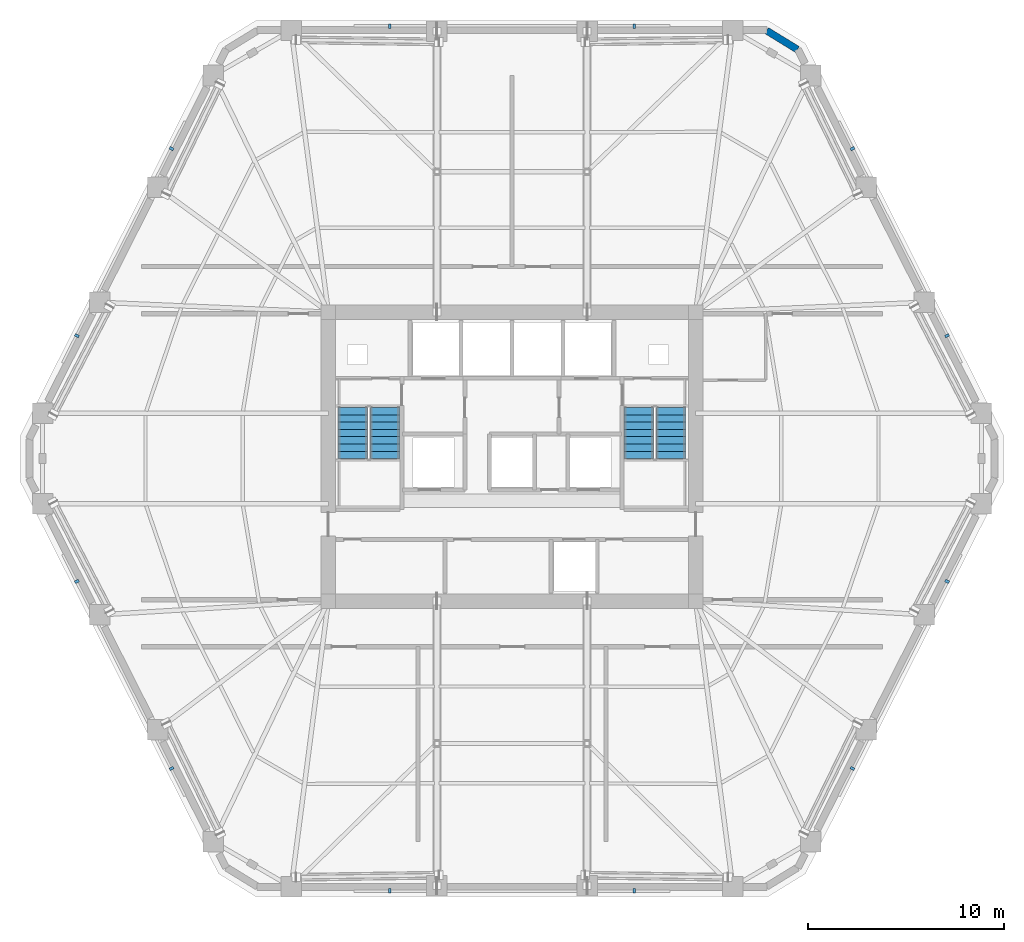
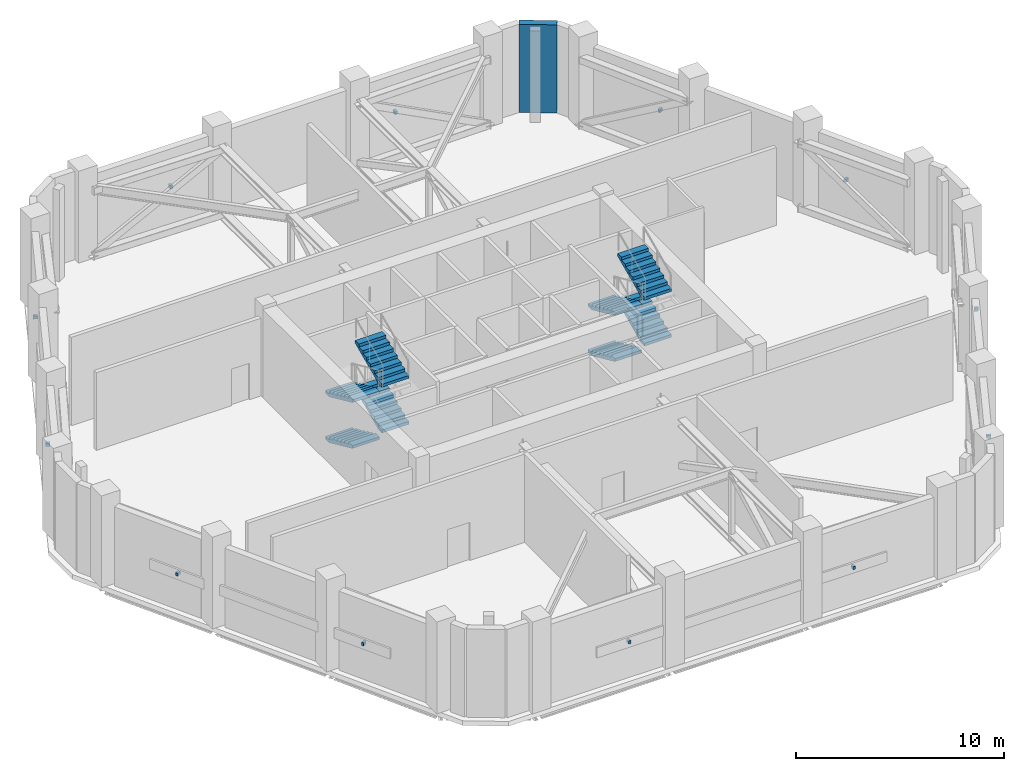
# One storey, part 12 of 15: 12 discrete accessories, 8 stair flights, 1 wall, 2 elements without a shape of their own.
"""IFC4 building model written with IfcOpenShell, lengths in metres."""

from ifc_helpers import new_model, si_unit, direction, frame, frame_2d, origin, origin_2d, place, context, subcontext, project, spatial, polyline, rectangle, outline, extrude, material, layer, layer_set, type_object, element, aggregate, save


model = new_model("IFC4")

# Units and contexts
model_context = context("Model", 3, precision=1e-05, world=origin(), true_north=direction((0.0, 1.0)))
body_context = subcontext(model_context, "Body", "Model", "MODEL_VIEW")
ifc_project = project(units=[si_unit("LENGTHUNIT", "METRE"), si_unit("AREAUNIT", "SQUARE_METRE"), si_unit("VOLUMEUNIT", "CUBIC_METRE"), si_unit("PLANEANGLEUNIT", "RADIAN"), si_unit("MASSUNIT", "GRAM", prefix="KILO")], contexts=[model_context])

# Site, building, storey
site_placement = place(None, origin())
site = spatial("IfcSite", under=ifc_project, at=site_placement, CompositionType="ELEMENT")
building_placement = place(site_placement, origin())
building = spatial("IfcBuilding", under=site, at=building_placement, Name="Cinnabar Lancet Tower", CompositionType="ELEMENT")
storey_placement = place(building_placement, frame((0.0, 0.0, 148.10009765625)))
storey = spatial("IfcBuildingStorey", under=building, at=storey_placement, Name="L39", CompositionType="ELEMENT", Elevation=148.10009765625)

# Wall
ifc_material_1 = material(Name="Dark charcoal engineering brick", Category="masonry")
ifc_layer = layer(ifc_material_1, 0.360107421875)
ifc_layer_set = layer_set([ifc_layer], Name="Dark charcoal engineering brick")
wall_type = type_object("IfcWallType", Name="ENV-WL-BRK-CHR-360", PredefinedType="STANDARD", material=ifc_layer_set)
wall_placement = place(storey_placement, frame((46.968994140625, 46.678955078125, 0.0), z_axis=(0.0, 0.0, 1.0), x_axis=(-0.852162932717, 0.523276538843, 0.0)))
element("IfcWall", 1, at=wall_placement, inside=storey, type_object=wall_type, Name="L39 Chamfered Corner Brick Pier 4.1", PredefinedType="STANDARD", context=body_context, shape_type="SweptSolid", body=[
    extrude(rectangle(XDim=1.842529296875, YDim=0.360107421875, at=frame_2d((0.92138671875, 0.0))), origin(), (0.0, 0.0, 1.0), 5.18994140625),
])

# Stair, stair flights
ifc_material_2 = material(Name="Concrete C40/50", Category="concrete")
stair_type = type_object("IfcStairType", Name="ST-CORE", PredefinedType="HALF_TURN_STAIR", material=ifc_material_2)
stair_1_placement = place(storey_placement, origin())
stair_1 = element("IfcStair", 2, at=stair_1_placement, inside=storey, type_object=stair_type, Name="L39 ST-1", PredefinedType="HALF_TURN_STAIR")
ifc_material_3 = material(Name="Concrete C40/50", Category="concrete")
stair_flight_type = type_object("IfcStairFlightType", Name="FLIGHT-CORE", PredefinedType="STRAIGHT", material=ifc_material_3)
stair_flight_1_placement = place(storey_placement, frame((24.27490234375, 28.39990234375, 0.0), z_axis=(0.0, 0.0, 1.0), x_axis=(0.0, -1.0, 0.0)))
stair_flight_1 = element("IfcStairFlight", 3, at=stair_flight_1_placement, type_object=stair_flight_type, Name="ST-1 flight 1", NumberOfRisers=8, NumberOfTreads=7, PredefinedType="STRAIGHT", RiserHeight=0.16875, TreadLength=0.3714, context=body_context, shape_type="SweptSolid", body=[
    extrude(outline(polyline([(0.0, 0.0), (0.0, 0.168701171875), (0.371337890625, 0.168701171875), (0.371337890625, 0.33740234375), (0.742919921875, 0.33740234375), (0.742919921875, 0.50634765625), (1.1142578125, 0.50634765625), (1.1142578125, 0.675048828125), (1.485595703125, 0.675048828125), (1.485595703125, 0.84375), (1.85693359375, 0.84375), (1.85693359375, 1.012451171875), (2.228515625, 1.012451171875), (2.228515625, 1.18115234375), (2.599853515625, 1.18115234375), (2.599853515625, 1.35009765625), (2.599853515625, 1.0166015625), (0.3623046875, 0.0), (0.0, 0.0)])), frame((0.0, 0.75, 0.0), z_axis=(0.0, -1.0, 0.0), x_axis=(1.0, 0.0, 0.0)), (0.0, 0.0, 1.0), 1.5),
])
stair_flight_2_placement = place(storey_placement, frame((25.925048828125, 25.80029296875, 1.349853515625), z_axis=(0.0, 0.0, 1.0), x_axis=(0.0, 1.0, 0.0)))
stair_flight_2 = element("IfcStairFlight", 4, at=stair_flight_2_placement, type_object=stair_flight_type, Name="ST-1 flight 2", NumberOfRisers=8, NumberOfTreads=7, PredefinedType="STRAIGHT", RiserHeight=0.16875, TreadLength=0.3714, context=body_context, shape_type="SweptSolid", body=[
    extrude(outline(polyline([(0.0, 0.0), (0.0, 0.168701171875), (0.371337890625, 0.168701171875), (0.371337890625, 0.33740234375), (0.742919921875, 0.33740234375), (0.742919921875, 0.50634765625), (1.1142578125, 0.50634765625), (1.1142578125, 0.675048828125), (1.485595703125, 0.675048828125), (1.485595703125, 0.84375), (1.85693359375, 0.84375), (1.85693359375, 1.012451171875), (2.228515625, 1.012451171875), (2.228515625, 1.18115234375), (2.599853515625, 1.18115234375), (2.599853515625, 1.35009765625), (2.599853515625, 1.0166015625), (0.3623046875, 0.0), (0.0, 0.0)])), frame((0.0, 0.75, 0.0), z_axis=(0.0, -1.0, 0.0), x_axis=(1.0, 0.0, 0.0)), (0.0, 0.0, 1.0), 1.5),
])
stair_flight_3_placement = place(storey_placement, frame((24.27490234375, 28.39990234375, 2.699951171875), z_axis=(0.0, 0.0, 1.0), x_axis=(0.0, -1.0, 0.0)))
stair_flight_3 = element("IfcStairFlight", 5, at=stair_flight_3_placement, type_object=stair_flight_type, Name="ST-1 flight 3", NumberOfRisers=8, NumberOfTreads=7, PredefinedType="STRAIGHT", RiserHeight=0.16875, TreadLength=0.3714, context=body_context, shape_type="SweptSolid", body=[
    extrude(outline(polyline([(0.0, 0.0), (0.0, 0.168701171875), (0.371337890625, 0.168701171875), (0.371337890625, 0.33740234375), (0.742919921875, 0.33740234375), (0.742919921875, 0.50634765625), (1.1142578125, 0.50634765625), (1.1142578125, 0.675048828125), (1.485595703125, 0.675048828125), (1.485595703125, 0.84375), (1.85693359375, 0.84375), (1.85693359375, 1.012451171875), (2.228515625, 1.012451171875), (2.228515625, 1.18115234375), (2.599853515625, 1.18115234375), (2.599853515625, 1.35009765625), (2.599853515625, 1.0166015625), (0.3623046875, 0.0), (0.0, 0.0)])), frame((0.0, 0.75, 0.0), z_axis=(0.0, -1.0, 0.0), x_axis=(1.0, 0.0, 0.0)), (0.0, 0.0, 1.0), 1.5),
])
stair_flight_4_placement = place(storey_placement, frame((25.925048828125, 25.80029296875, 4.0498046875), z_axis=(0.0, 0.0, 1.0), x_axis=(0.0, 1.0, 0.0)))
stair_flight_4 = element("IfcStairFlight", 6, at=stair_flight_4_placement, type_object=stair_flight_type, Name="ST-1 flight 4", NumberOfRisers=8, NumberOfTreads=7, PredefinedType="STRAIGHT", RiserHeight=0.16875, TreadLength=0.3714, context=body_context, shape_type="SweptSolid", body=[
    extrude(outline(polyline([(0.0, 0.0), (0.0, 0.168701171875), (0.371337890625, 0.168701171875), (0.371337890625, 0.33740234375), (0.742919921875, 0.33740234375), (0.742919921875, 0.50634765625), (1.1142578125, 0.50634765625), (1.1142578125, 0.675048828125), (1.485595703125, 0.675048828125), (1.485595703125, 0.84375), (1.85693359375, 0.84375), (1.85693359375, 1.012451171875), (2.228515625, 1.012451171875), (2.228515625, 1.18115234375), (2.599853515625, 1.18115234375), (2.599853515625, 1.35009765625), (2.599853515625, 1.0166015625), (0.3623046875, 0.0), (0.0, 0.0)])), frame((0.0, 0.75, 0.0), z_axis=(0.0, -1.0, 0.0), x_axis=(1.0, 0.0, 0.0)), (0.0, 0.0, 1.0), 1.5),
])
aggregate(stair_1, [stair_flight_1, stair_flight_2, stair_flight_3, stair_flight_4])

stair_2_placement = place(storey_placement, origin())
stair_2 = element("IfcStair", 7, at=stair_2_placement, inside=storey, type_object=stair_type, Name="L39 ST-2", PredefinedType="HALF_TURN_STAIR")
stair_flight_5_placement = place(storey_placement, frame((38.875, 28.39990234375, 0.0), z_axis=(0.0, 0.0, 1.0), x_axis=(0.0, -1.0, 0.0)))
stair_flight_5 = element("IfcStairFlight", 8, at=stair_flight_5_placement, type_object=stair_flight_type, Name="ST-2 flight 1", NumberOfRisers=8, NumberOfTreads=7, PredefinedType="STRAIGHT", RiserHeight=0.16875, TreadLength=0.3714, context=body_context, shape_type="SweptSolid", body=[
    extrude(outline(polyline([(0.0, 0.0), (0.0, 0.168701171875), (0.371337890625, 0.168701171875), (0.371337890625, 0.33740234375), (0.742919921875, 0.33740234375), (0.742919921875, 0.50634765625), (1.1142578125, 0.50634765625), (1.1142578125, 0.675048828125), (1.485595703125, 0.675048828125), (1.485595703125, 0.84375), (1.85693359375, 0.84375), (1.85693359375, 1.012451171875), (2.228515625, 1.012451171875), (2.228515625, 1.18115234375), (2.599853515625, 1.18115234375), (2.599853515625, 1.35009765625), (2.599853515625, 1.0166015625), (0.3623046875, 0.0), (0.0, 0.0)])), frame((0.0, 0.75, 0.0), z_axis=(0.0, -1.0, 0.0), x_axis=(1.0, 0.0, 0.0)), (0.0, 0.0, 1.0), 1.5),
])
stair_flight_6_placement = place(storey_placement, frame((40.52490234375, 25.80029296875, 1.349853515625), z_axis=(0.0, 0.0, 1.0), x_axis=(0.0, 1.0, 0.0)))
stair_flight_6 = element("IfcStairFlight", 9, at=stair_flight_6_placement, type_object=stair_flight_type, Name="ST-2 flight 2", NumberOfRisers=8, NumberOfTreads=7, PredefinedType="STRAIGHT", RiserHeight=0.16875, TreadLength=0.3714, context=body_context, shape_type="SweptSolid", body=[
    extrude(outline(polyline([(0.0, 0.0), (0.0, 0.168701171875), (0.371337890625, 0.168701171875), (0.371337890625, 0.33740234375), (0.742919921875, 0.33740234375), (0.742919921875, 0.50634765625), (1.1142578125, 0.50634765625), (1.1142578125, 0.675048828125), (1.485595703125, 0.675048828125), (1.485595703125, 0.84375), (1.85693359375, 0.84375), (1.85693359375, 1.012451171875), (2.228515625, 1.012451171875), (2.228515625, 1.18115234375), (2.599853515625, 1.18115234375), (2.599853515625, 1.35009765625), (2.599853515625, 1.0166015625), (0.3623046875, 0.0), (0.0, 0.0)])), frame((0.0, 0.75, 0.0), z_axis=(0.0, -1.0, 0.0), x_axis=(1.0, 0.0, 0.0)), (0.0, 0.0, 1.0), 1.5),
])
stair_flight_7_placement = place(storey_placement, frame((38.875, 28.39990234375, 2.699951171875), z_axis=(0.0, 0.0, 1.0), x_axis=(0.0, -1.0, 0.0)))
stair_flight_7 = element("IfcStairFlight", 10, at=stair_flight_7_placement, type_object=stair_flight_type, Name="ST-2 flight 3", NumberOfRisers=8, NumberOfTreads=7, PredefinedType="STRAIGHT", RiserHeight=0.16875, TreadLength=0.3714, context=body_context, shape_type="SweptSolid", body=[
    extrude(outline(polyline([(0.0, 0.0), (0.0, 0.168701171875), (0.371337890625, 0.168701171875), (0.371337890625, 0.33740234375), (0.742919921875, 0.33740234375), (0.742919921875, 0.50634765625), (1.1142578125, 0.50634765625), (1.1142578125, 0.675048828125), (1.485595703125, 0.675048828125), (1.485595703125, 0.84375), (1.85693359375, 0.84375), (1.85693359375, 1.012451171875), (2.228515625, 1.012451171875), (2.228515625, 1.18115234375), (2.599853515625, 1.18115234375), (2.599853515625, 1.35009765625), (2.599853515625, 1.0166015625), (0.3623046875, 0.0), (0.0, 0.0)])), frame((0.0, 0.75, 0.0), z_axis=(0.0, -1.0, 0.0), x_axis=(1.0, 0.0, 0.0)), (0.0, 0.0, 1.0), 1.5),
])
stair_flight_8_placement = place(storey_placement, frame((40.52490234375, 25.80029296875, 4.0498046875), z_axis=(0.0, 0.0, 1.0), x_axis=(0.0, 1.0, 0.0)))
stair_flight_8 = element("IfcStairFlight", 11, at=stair_flight_8_placement, type_object=stair_flight_type, Name="ST-2 flight 4", NumberOfRisers=8, NumberOfTreads=7, PredefinedType="STRAIGHT", RiserHeight=0.16875, TreadLength=0.3714, context=body_context, shape_type="SweptSolid", body=[
    extrude(outline(polyline([(0.0, 0.0), (0.0, 0.168701171875), (0.371337890625, 0.168701171875), (0.371337890625, 0.33740234375), (0.742919921875, 0.33740234375), (0.742919921875, 0.50634765625), (1.1142578125, 0.50634765625), (1.1142578125, 0.675048828125), (1.485595703125, 0.675048828125), (1.485595703125, 0.84375), (1.85693359375, 0.84375), (1.85693359375, 1.012451171875), (2.228515625, 1.012451171875), (2.228515625, 1.18115234375), (2.599853515625, 1.18115234375), (2.599853515625, 1.35009765625), (2.599853515625, 1.0166015625), (0.3623046875, 0.0), (0.0, 0.0)])), frame((0.0, 0.75, 0.0), z_axis=(0.0, -1.0, 0.0), x_axis=(1.0, 0.0, 0.0)), (0.0, 0.0, 1.0), 1.5),
])
aggregate(stair_2, [stair_flight_5, stair_flight_6, stair_flight_7, stair_flight_8])

# Discrete accessories
ifc_material_4 = material(Name="Stainless steel 316 facade fixing bracket", Category="steel")
discrete_accessory_type = type_object("IfcDiscreteAccessoryType", Name="ENV-ACC-BRK-180", PredefinedType="BRACKET", material=ifc_material_4)
for number, where, z_axis, x_axis, name in (
    (12, (26.157958984375, 3.735107421875, 2.06005859375), (0.0, 0.0, 1.0), (1.0, 0.0, 0.0), "L39 Face 1 Louvre Fixing Bracket A"),
    (13, (38.64208984375, 3.735107421875, 2.06005859375), (0.0, 0.0, 1.0), (1.0, 0.0, 0.0), "L39 Face 1 Louvre Fixing Bracket B"),
    (14, (49.777099609375, 9.98193359375, 2.06005859375), (0.0, 0.0, 1.0), (0.45142270618, 0.892310226516, 0.0), "L39 Face 2 Louvre Fixing Bracket A"),
    (15, (54.60791015625, 19.531005859375, 2.06005859375), (0.0, 0.0, 1.0), (0.45142270618, 0.892310226516, 0.0), "L39 Face 2 Louvre Fixing Bracket B"),
    (16, (54.60791015625, 32.069091796875, 2.06005859375), (0.0, 0.0, 1.0), (-0.45142270618, 0.892310226516, 0.0), "L39 Face 3 Louvre Fixing Bracket A"),
    (17, (49.777099609375, 41.617919921875, 2.06005859375), (0.0, 0.0, 1.0), (-0.45142270618, 0.892310226516, 0.0), "L39 Face 3 Louvre Fixing Bracket B"),
    (18, (38.64208984375, 47.864990234375, 2.06005859375), (0.0, 0.0, 1.0), (-1.0, 0.0, 0.0), "L39 Face 4 Louvre Fixing Bracket A"),
    (19, (26.157958984375, 47.864990234375, 2.06005859375), (0.0, 0.0, 1.0), (-1.0, 0.0, 0.0), "L39 Face 4 Louvre Fixing Bracket B"),
    (20, (15.02294921875, 41.617919921875, 2.06005859375), (0.0, 0.0, 1.0), (-0.45142270618, -0.892310226516, 0.0), "L39 Face 5 Louvre Fixing Bracket A"),
    (21, (10.19189453125, 32.069091796875, 2.06005859375), (0.0, 0.0, 1.0), (-0.45142270618, -0.892310226516, 0.0), "L39 Face 5 Louvre Fixing Bracket B"),
    (22, (10.19189453125, 19.531005859375, 2.06005859375), (0.0, 0.0, 1.0), (0.45142270618, -0.892310226516, 0.0), "L39 Face 6 Louvre Fixing Bracket A"),
    (23, (15.02294921875, 9.98193359375, 2.06005859375), (0.0, 0.0, 1.0), (0.45142270618, -0.892310226516, 0.0), "L39 Face 6 Louvre Fixing Bracket B"),
):
    element("IfcDiscreteAccessory", number, at=place(storey_placement, frame(where, z_axis=z_axis, x_axis=x_axis)), inside=storey, type_object=discrete_accessory_type, Name=name, PredefinedType="BRACKET", context=body_context, shape_type="SweptSolid", body=[
        extrude(rectangle(XDim=0.139892578125, YDim=0.219970703125, at=origin_2d()), origin(), (0.0, 0.0, 1.0), 0.179931640625),
    ])

save(model, "model.ifc")
